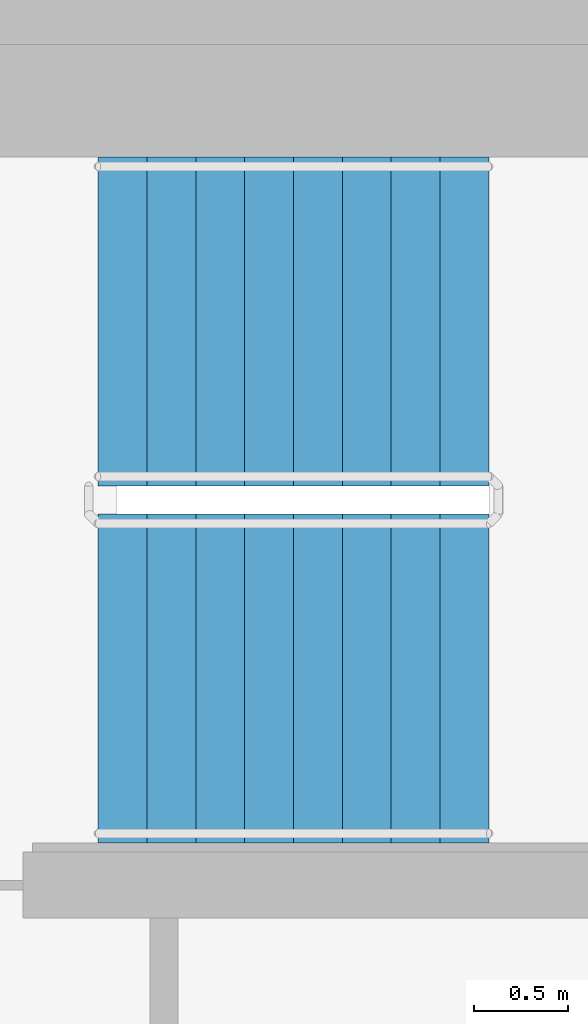
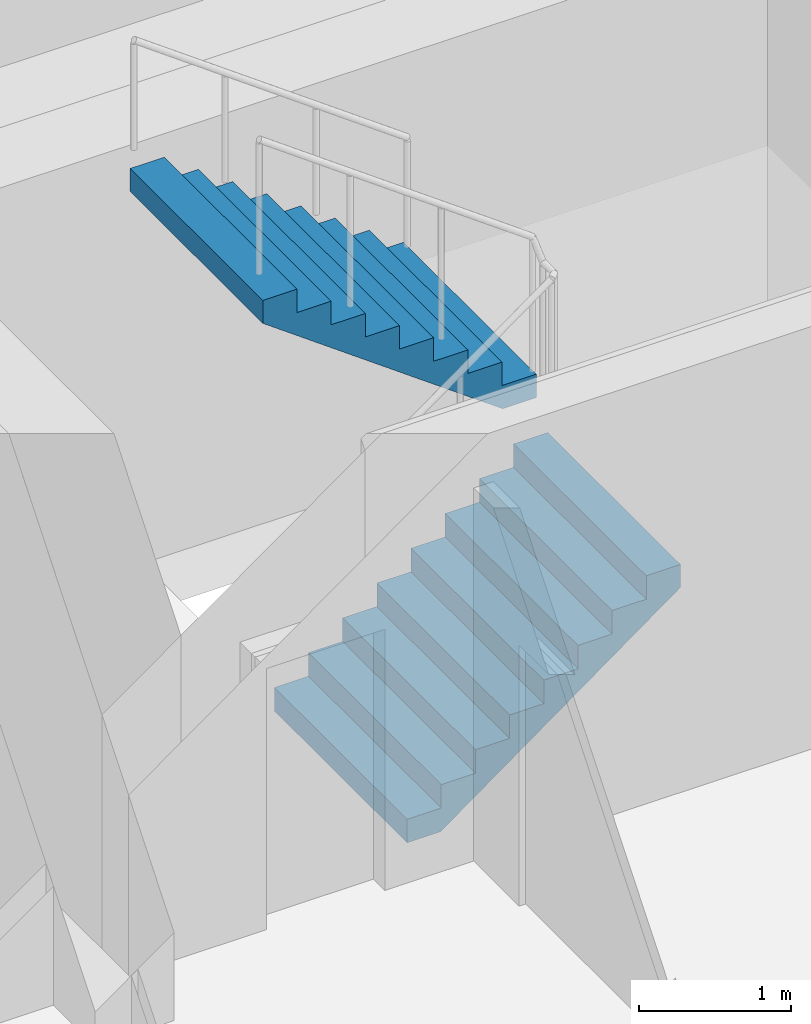
# One storey, part 14 of 19: 2 stair flights, 1 element without a shape of its own.
"""IFC4 building model written with IfcOpenShell, lengths in metres."""

import ifcopenshell
import ifcopenshell.guid

model = None  # the IFC model being written
_history = None  # IfcOwnerHistory: only IFC2X3 demands one
_inside = {}  # id of a spatial element -> (the spatial element, [elements in it])
_under = {}  # id of a project, library or spatial element -> (it, [spatial elements below it])
_declared = {}  # id of a project -> (the project, [libraries it declares])
_typed = {}  # id of a type object -> (the type object, [elements of that type])
_made_of = {}  # id of a material, layer set ... -> (it, [elements and type objects made of it])


def new_model(schema):
    """Start an empty IFC model of exactly this schema.

    Asked for "IFC4X3", IfcOpenShell would pick the latest addendum, in which some entities
    have other attributes; the version numbers below select the first issue.
    IFC2X3 requires an IfcOwnerHistory on every rooted entity: one is made here for all.
    """
    global model, _history
    if schema == "IFC4X3":
        model = ifcopenshell.file(schema_version=(4, 3, 0, 0))
    else:
        model = ifcopenshell.file(schema=schema)
    _inside.clear()
    _under.clear()
    _declared.clear()
    _typed.clear()
    _made_of.clear()
    _history = None
    if model.schema == "IFC2X3":
        org = make("IfcOrganization", Name="unknown")
        user = make(
            "IfcPersonAndOrganization",
            ThePerson=make("IfcPerson", FamilyName="unknown"),
            TheOrganization=org,
        )
        app = make(
            "IfcApplication",
            ApplicationDeveloper=org,
            Version="unknown",
            ApplicationFullName="unknown",
            ApplicationIdentifier="unknown",
        )
        _history = make(
            "IfcOwnerHistory",
            OwningUser=user,
            OwningApplication=app,
            ChangeAction="ADDED",
            CreationDate=0,
        )
    return model


def make(cls, **values):
    """One entity of the class cls with the attributes given. An attribute that is None is left unset."""
    return model.create_entity(
        cls, **{name: value for name, value in values.items() if value is not None}
    )


def rooted(cls, **values):
    """An entity with a GlobalId (a new one), such as an element, a storey or a relation."""
    return make(cls, GlobalId=ifcopenshell.guid.new(), OwnerHistory=_history, **values)


def si_unit(unit_type, name, prefix=None):
    """IfcSIUnit, for example si_unit("LENGTHUNIT", "METRE", prefix="MILLI")."""
    return make("IfcSIUnit", UnitType=unit_type, Prefix=prefix, Name=name)


def assignment(units):
    """IfcUnitAssignment: the units of a project."""
    return None if units is None else make("IfcUnitAssignment", Units=units)


def point(xyz):
    """IfcCartesianPoint."""
    return None if xyz is None else make("IfcCartesianPoint", Coordinates=xyz)


def direction(xyz):
    """IfcDirection."""
    return None if xyz is None else make("IfcDirection", DirectionRatios=xyz)


def frame(location, z_axis=None, x_axis=None):
    """IfcAxis2Placement3D, a coordinate frame: its origin and axes. An axis left out is left unset."""
    return make(
        "IfcAxis2Placement3D",
        Location=point(location),
        Axis=direction(z_axis),
        RefDirection=direction(x_axis),
    )


def origin():
    """The frame at (0, 0, 0) with its axes left unset."""
    return frame((0.0, 0.0, 0.0))


def place(relative_to, where):
    """IfcLocalPlacement: puts the frame where relative to a parent placement (None: the world)."""
    return make(
        "IfcLocalPlacement", PlacementRelTo=relative_to, RelativePlacement=where
    )


def context(
    kind, dimensions, precision=None, world=None, true_north=None, identifier=None
):
    """IfcGeometricRepresentationContext, for example the 3D "Model" context."""
    return make(
        "IfcGeometricRepresentationContext",
        ContextIdentifier=identifier,
        ContextType=kind,
        CoordinateSpaceDimension=dimensions,
        Precision=precision,
        WorldCoordinateSystem=world,
        TrueNorth=true_north,
    )


def subcontext(parent, identifier, kind, view, scale=None):
    """IfcGeometricRepresentationSubContext, for example "Body" below "Model"."""
    return make(
        "IfcGeometricRepresentationSubContext",
        ContextIdentifier=identifier,
        ContextType=kind,
        ParentContext=parent,
        TargetScale=scale,
        TargetView=view,
    )


def project(units=None, contexts=None):
    """IfcProject with its units and contexts."""
    return rooted(
        "IfcProject",
        Name="project",
        RepresentationContexts=contexts,
        UnitsInContext=assignment(units),
    )


def spatial(cls, under=None, at=None, **own):
    """A site, building, storey or space (cls), placed at a placement, below another one or the project."""
    s = rooted(cls, ObjectPlacement=at, **own)
    if under is not None:
        _under.setdefault(under.id(), (under, []))[1].append(s)
    return s


def faces_of(points, faces, orient=None, outer=None):
    """IfcFace entities. A face is a list of loops; a loop is a list of indices into points, from 0.

    orient and outer hold one flag for each loop. By default every Orientation is true, the
    first loop of a face is its IfcFaceOuterBound and the others are IfcFaceBound.
    """
    made = []
    for i, loops in enumerate(faces):
        bounds = []
        for j, loop in enumerate(loops):
            is_outer = j == 0 if outer is None else outer[i][j]
            bounds.append(
                make(
                    "IfcFaceOuterBound" if is_outer else "IfcFaceBound",
                    Bound=make("IfcPolyLoop", Polygon=[points[k] for k in loop]),
                    Orientation=True if orient is None else orient[i][j],
                )
            )
        made.append(make("IfcFace", Bounds=bounds))
    return made


def faceted_brep(points, faces, orient=None, outer=None, voids=None):
    """IfcFacetedBrep: a solid bounded by flat faces; with voids (closed shells), ...WithVoids."""
    shared = [point(p) for p in points]
    hull = make("IfcClosedShell", CfsFaces=faces_of(shared, faces, orient, outer))
    if voids is None:
        return make("IfcFacetedBrep", Outer=hull)
    return make(
        "IfcFacetedBrepWithVoids",
        Outer=hull,
        Voids=[
            make(cls, CfsFaces=faces_of(shared, fs, o, b)) for cls, fs, o, b in voids
        ],
    )


def shape(context_of_items, identifier, shape_type, items):
    """IfcShapeRepresentation: the items that make up one representation, for example the "Body"."""
    return make(
        "IfcShapeRepresentation",
        ContextOfItems=context_of_items,
        RepresentationIdentifier=identifier,
        RepresentationType=shape_type,
        Items=items,
    )


def material(Name=None, Category=None):
    """IfcMaterial."""
    return make("IfcMaterial", Name=Name, Category=Category)


def made_of(thing, what):
    """Note that an element or type object is made of a material, layer set ...; save() writes the relation."""
    if what is not None:
        _made_of.setdefault(what.id(), (what, []))[1].append(thing)
    return thing


def type_object(cls, material=None, **own):
    """A type object (cls), such as IfcWallType, which elements share."""
    return made_of(rooted(cls, **own), material)


def element(
    cls,
    number,
    at=None,
    inside=None,
    cuts=None,
    type_object=None,
    material=None,
    context=None,
    identifier="Body",
    shape_type=None,
    held_by="IfcProductDefinitionShape",
    body=None,
    shapes=None,
    **own,
):
    """One element of the class cls, such as IfcWall. Its Tag is "e" and its number.

    at: its placement. inside: the storey or other place that contains it. cuts: it is an
    opening in that element (IfcRelVoidsElement). A single representation is given by context,
    identifier, shape_type and body (its items); several are given by shapes. held_by: the class
    of the entity that holds the representations. save() writes the other relations.
    """
    e = rooted(cls, Tag="e%d" % number, ObjectPlacement=at, **own)
    if body is not None:
        shapes = [shape(context, identifier, shape_type, body)]
    if shapes is not None:
        e.Representation = make(held_by, Representations=shapes)
    if inside is not None:
        _inside.setdefault(inside.id(), (inside, []))[1].append(e)
    if cuts is not None:
        rooted(
            "IfcRelVoidsElement", RelatingBuildingElement=cuts, RelatedOpeningElement=e
        )
    if type_object is not None:
        _typed.setdefault(type_object.id(), (type_object, []))[1].append(e)
    return made_of(e, material)


def aggregate(whole, parts):
    """IfcRelAggregates: a whole, such as a stair, and the parts it consists of."""
    return rooted("IfcRelAggregates", RelatingObject=whole, RelatedObjects=parts)


def save(model, path):
    """Write the relations noted so far, then the file.

    IfcRelAggregates (storeys below a building ...), IfcRelContainedInSpatialStructure (elements
    in a storey), IfcRelDefinesByType, IfcRelAssociatesMaterial and IfcRelDeclares: one each for
    every whole, place, type object, material and project.
    """
    for whole, parts in _under.values():
        aggregate(whole, parts)
    for where, things in _inside.values():
        rooted(
            "IfcRelContainedInSpatialStructure",
            RelatedElements=things,
            RelatingStructure=where,
        )
    for kind, things in _typed.values():
        rooted("IfcRelDefinesByType", RelatedObjects=things, RelatingType=kind)
    for what, things in _made_of.values():
        rooted("IfcRelAssociatesMaterial", RelatedObjects=things, RelatingMaterial=what)
    for by, libraries in _declared.values():
        rooted("IfcRelDeclares", RelatingContext=by, RelatedDefinitions=libraries)
    model.write(path)


model = new_model("IFC4")

# Units and contexts
model_context = context("Model", 3, precision=1e-05, world=origin(), true_north=direction((0.0, 1.0)))
body_context = subcontext(model_context, "Body", "Model", "MODEL_VIEW")
ifc_project = project(units=[si_unit("LENGTHUNIT", "METRE"), si_unit("AREAUNIT", "SQUARE_METRE"), si_unit("VOLUMEUNIT", "CUBIC_METRE"), si_unit("PLANEANGLEUNIT", "RADIAN"), si_unit("MASSUNIT", "GRAM", prefix="KILO")], contexts=[model_context])

# Site, building, storey
site_placement = place(None, origin())
site = spatial("IfcSite", under=ifc_project, at=site_placement, CompositionType="ELEMENT")
building_placement = place(site_placement, origin())
building = spatial("IfcBuilding", under=site, at=building_placement, Name="Ipe Terrace Towers", CompositionType="ELEMENT")
storey_placement = place(building_placement, frame((0.0, 0.0, 185.800048828125)))
storey = spatial("IfcBuildingStorey", under=building, at=storey_placement, Name="L51", CompositionType="ELEMENT", Elevation=185.800048828125)

# Stair, stair flights
ifc_material_1 = material(Name="Concrete C30/37", Category="concrete")
stair_type = type_object("IfcStairType", Name="Protected exit stair", PredefinedType="HALF_TURN_STAIR", material=ifc_material_1)
stair_placement = place(storey_placement, origin())
stair = element("IfcStair", 1, at=stair_placement, inside=storey, type_object=stair_type, Name="L51 Exit stair T1-C1", PredefinedType="HALF_TURN_STAIR")
ifc_material_2 = material(Name="Concrete C30/37", Category="concrete")
stair_flight_type = type_object("IfcStairFlightType", Name="Exit stair flight 1750", PredefinedType="STRAIGHT", material=ifc_material_2)
stair_flight_1_placement = place(storey_placement, frame((-26.300048828125, 2.77490234375, 0.0), z_axis=(0.0, 0.0, 1.0), x_axis=(1.0, 0.0, 0.0)))
stair_flight_1 = element("IfcStairFlight", 2, at=stair_flight_1_placement, type_object=stair_flight_type, Name="T1-ST1 flight 1", NumberOfRisers=9, NumberOfTreads=8, PredefinedType="STRAIGHT", RiserHeight=0.188888889, TreadLength=0.26, context=body_context, shape_type="Brep", body=[
    faceted_brep([(0.255126953125, -0.875, 0.0), (2.080078125, -0.875, 1.325927734375), (2.080078125, -0.875, 1.51123046875), (1.820068359375, -0.875, 1.51123046875), (1.820068359375, -0.875, 1.322265625), (1.56005859375, -0.875, 1.322265625), (1.56005859375, -0.875, 1.13330078125), (1.300048828125, -0.875, 1.13330078125), (1.300048828125, -0.875, 0.9443359375), (1.0400390625, -0.875, 0.9443359375), (1.0400390625, -0.875, 0.755615234375), (0.780029296875, -0.875, 0.755615234375), (0.780029296875, -0.875, 0.566650390625), (0.52001953125, -0.875, 0.566650390625), (0.52001953125, -0.875, 0.377685546875), (0.260009765625, -0.875, 0.377685546875), (0.260009765625, -0.875, 0.18896484375), (0.0, -0.875, 0.18896484375), (0.0, -0.875, 0.0), (0.0, 0.875, 0.0), (0.0, 0.875, 0.18896484375), (0.260009765625, 0.875, 0.18896484375), (0.260009765625, 0.875, 0.377685546875), (0.52001953125, 0.875, 0.377685546875), (0.52001953125, 0.875, 0.566650390625), (0.780029296875, 0.875, 0.566650390625), (0.780029296875, 0.875, 0.755615234375), (1.0400390625, 0.875, 0.755615234375), (1.0400390625, 0.875, 0.9443359375), (1.300048828125, 0.875, 0.9443359375), (1.300048828125, 0.875, 1.13330078125), (1.56005859375, 0.875, 1.13330078125), (1.56005859375, 0.875, 1.322265625), (1.820068359375, 0.875, 1.322265625), (1.820068359375, 0.875, 1.51123046875), (2.080078125, 0.875, 1.51123046875), (2.080078125, 0.875, 1.325927734375), (0.255126953125, 0.875, 0.0), (0.0, -0.300048828125, 0.18896484375), (0.0, -0.1201171875, 0.18896484375), (0.0, -0.06005859375, 0.18896484375), (0.0, -0.030029296875, 0.18896484375), (0.0, -0.010009765625, 0.18896484375), (0.0, 0.0, 0.18896484375), (0.0, 0.010009765625, 0.18896484375), (0.0, 0.030029296875, 0.18896484375), (0.0, 0.06005859375, 0.18896484375), (0.0, 0.1201171875, 0.18896484375), (0.0, 0.300048828125, 0.18896484375), (0.0, 0.300048828125, 0.0), (0.0, 0.1201171875, 0.0), (0.0, 0.06005859375, 0.0), (0.0, 0.030029296875, 0.0), (0.0, 0.010009765625, 0.0), (0.0, 0.0, 0.0), (0.0, -0.010009765625, 0.0), (0.0, -0.030029296875, 0.0), (0.0, -0.06005859375, 0.0), (0.0, -0.1201171875, 0.0), (0.0, -0.300048828125, 0.0), (0.260009765625, -0.300048828125, 0.18896484375), (0.260009765625, -0.1201171875, 0.18896484375), (0.260009765625, -0.06005859375, 0.18896484375), (0.260009765625, -0.030029296875, 0.18896484375), (0.260009765625, -0.010009765625, 0.18896484375), (0.260009765625, 0.0, 0.18896484375), (0.260009765625, 0.010009765625, 0.18896484375), (0.260009765625, 0.030029296875, 0.18896484375), (0.260009765625, 0.06005859375, 0.18896484375), (0.260009765625, 0.1201171875, 0.18896484375), (0.260009765625, 0.300048828125, 0.18896484375), (0.260009765625, -0.300048828125, 0.377685546875), (0.260009765625, -0.1201171875, 0.377685546875), (0.260009765625, -0.06005859375, 0.377685546875), (0.260009765625, -0.030029296875, 0.377685546875), (0.260009765625, -0.010009765625, 0.377685546875), (0.260009765625, 0.0, 0.377685546875), (0.260009765625, 0.010009765625, 0.377685546875), (0.260009765625, 0.030029296875, 0.377685546875), (0.260009765625, 0.06005859375, 0.377685546875), (0.260009765625, 0.1201171875, 0.377685546875), (0.260009765625, 0.300048828125, 0.377685546875), (0.52001953125, -0.300048828125, 0.377685546875), (0.52001953125, -0.1201171875, 0.377685546875), (0.52001953125, -0.06005859375, 0.377685546875), (0.52001953125, -0.030029296875, 0.377685546875), (0.52001953125, -0.010009765625, 0.377685546875), (0.52001953125, 0.0, 0.377685546875), (0.52001953125, 0.010009765625, 0.377685546875), (0.52001953125, 0.030029296875, 0.377685546875), (0.52001953125, 0.06005859375, 0.377685546875), (0.52001953125, 0.1201171875, 0.377685546875), (0.52001953125, 0.300048828125, 0.377685546875), (0.52001953125, -0.300048828125, 0.566650390625), (0.52001953125, -0.1201171875, 0.566650390625), (0.52001953125, -0.06005859375, 0.566650390625), (0.52001953125, -0.030029296875, 0.566650390625), (0.52001953125, -0.010009765625, 0.566650390625), (0.52001953125, 0.0, 0.566650390625), (0.52001953125, 0.010009765625, 0.566650390625), (0.52001953125, 0.030029296875, 0.566650390625), (0.52001953125, 0.06005859375, 0.566650390625), (0.52001953125, 0.1201171875, 0.566650390625), (0.52001953125, 0.300048828125, 0.566650390625), (0.780029296875, -0.300048828125, 0.566650390625), (0.780029296875, -0.1201171875, 0.566650390625), (0.780029296875, -0.06005859375, 0.566650390625), (0.780029296875, -0.030029296875, 0.566650390625), (0.780029296875, -0.010009765625, 0.566650390625), (0.780029296875, 0.0, 0.566650390625), (0.780029296875, 0.010009765625, 0.566650390625), (0.780029296875, 0.030029296875, 0.566650390625), (0.780029296875, 0.06005859375, 0.566650390625), (0.780029296875, 0.1201171875, 0.566650390625), (0.780029296875, 0.300048828125, 0.566650390625), (0.780029296875, -0.300048828125, 0.755615234375), (0.780029296875, -0.1201171875, 0.755615234375), (0.780029296875, -0.06005859375, 0.755615234375), (0.780029296875, -0.030029296875, 0.755615234375), (0.780029296875, -0.010009765625, 0.755615234375), (0.780029296875, 0.0, 0.755615234375), (0.780029296875, 0.010009765625, 0.755615234375), (0.780029296875, 0.030029296875, 0.755615234375), (0.780029296875, 0.06005859375, 0.755615234375), (0.780029296875, 0.1201171875, 0.755615234375), (0.780029296875, 0.300048828125, 0.755615234375), (1.0400390625, -0.300048828125, 0.755615234375), (1.0400390625, -0.1201171875, 0.755615234375), (1.0400390625, -0.06005859375, 0.755615234375), (1.0400390625, -0.030029296875, 0.755615234375), (1.0400390625, -0.010009765625, 0.755615234375), (1.0400390625, 0.0, 0.755615234375), (1.0400390625, 0.010009765625, 0.755615234375), (1.0400390625, 0.030029296875, 0.755615234375), (1.0400390625, 0.06005859375, 0.755615234375), (1.0400390625, 0.1201171875, 0.755615234375), (1.0400390625, 0.300048828125, 0.755615234375), (1.0400390625, -0.300048828125, 0.9443359375), (1.0400390625, -0.1201171875, 0.9443359375), (1.0400390625, -0.06005859375, 0.9443359375), (1.0400390625, -0.030029296875, 0.9443359375), (1.0400390625, -0.010009765625, 0.9443359375), (1.0400390625, 0.0, 0.9443359375), (1.0400390625, 0.010009765625, 0.9443359375), (1.0400390625, 0.030029296875, 0.9443359375), (1.0400390625, 0.06005859375, 0.9443359375), (1.0400390625, 0.1201171875, 0.9443359375), (1.0400390625, 0.300048828125, 0.9443359375), (1.300048828125, -0.300048828125, 0.9443359375), (1.300048828125, -0.1201171875, 0.9443359375), (1.300048828125, -0.06005859375, 0.9443359375), (1.300048828125, -0.030029296875, 0.9443359375), (1.300048828125, -0.010009765625, 0.9443359375), (1.300048828125, 0.0, 0.9443359375), (1.300048828125, 0.010009765625, 0.9443359375), (1.300048828125, 0.030029296875, 0.9443359375), (1.300048828125, 0.06005859375, 0.9443359375), (1.300048828125, 0.1201171875, 0.9443359375), (1.300048828125, 0.300048828125, 0.9443359375), (1.300048828125, -0.300048828125, 1.13330078125), (1.300048828125, -0.1201171875, 1.13330078125), (1.300048828125, -0.06005859375, 1.13330078125), (1.300048828125, -0.030029296875, 1.13330078125), (1.300048828125, -0.010009765625, 1.13330078125), (1.300048828125, 0.0, 1.13330078125), (1.300048828125, 0.010009765625, 1.13330078125), (1.300048828125, 0.030029296875, 1.13330078125), (1.300048828125, 0.06005859375, 1.13330078125), (1.300048828125, 0.1201171875, 1.13330078125), (1.300048828125, 0.300048828125, 1.13330078125), (1.56005859375, -0.300048828125, 1.13330078125), (1.56005859375, -0.1201171875, 1.13330078125), (1.56005859375, -0.06005859375, 1.13330078125), (1.56005859375, -0.030029296875, 1.13330078125), (1.56005859375, -0.010009765625, 1.13330078125), (1.56005859375, 0.0, 1.13330078125), (1.56005859375, 0.010009765625, 1.13330078125), (1.56005859375, 0.030029296875, 1.13330078125), (1.56005859375, 0.06005859375, 1.13330078125), (1.56005859375, 0.1201171875, 1.13330078125), (1.56005859375, 0.300048828125, 1.13330078125), (1.56005859375, -0.300048828125, 1.322265625), (1.56005859375, -0.1201171875, 1.322265625), (1.56005859375, -0.06005859375, 1.322265625), (1.56005859375, -0.030029296875, 1.322265625), (1.56005859375, -0.010009765625, 1.322265625), (1.56005859375, 0.0, 1.322265625), (1.56005859375, 0.010009765625, 1.322265625), (1.56005859375, 0.030029296875, 1.322265625), (1.56005859375, 0.06005859375, 1.322265625), (1.56005859375, 0.1201171875, 1.322265625), (1.56005859375, 0.300048828125, 1.322265625), (1.820068359375, -0.300048828125, 1.322265625), (1.820068359375, -0.1201171875, 1.322265625), (1.820068359375, -0.06005859375, 1.322265625), (1.820068359375, -0.030029296875, 1.322265625), (1.820068359375, -0.010009765625, 1.322265625), (1.820068359375, 0.0, 1.322265625), (1.820068359375, 0.010009765625, 1.322265625), (1.820068359375, 0.030029296875, 1.322265625), (1.820068359375, 0.06005859375, 1.322265625), (1.820068359375, 0.1201171875, 1.322265625), (1.820068359375, 0.300048828125, 1.322265625), (1.820068359375, -0.300048828125, 1.51123046875), (1.820068359375, -0.1201171875, 1.51123046875), (1.820068359375, -0.06005859375, 1.51123046875), (1.820068359375, -0.030029296875, 1.51123046875), (1.820068359375, -0.010009765625, 1.51123046875), (1.820068359375, 0.0, 1.51123046875), (1.820068359375, 0.010009765625, 1.51123046875), (1.820068359375, 0.030029296875, 1.51123046875), (1.820068359375, 0.06005859375, 1.51123046875), (1.820068359375, 0.1201171875, 1.51123046875), (1.820068359375, 0.300048828125, 1.51123046875), (2.080078125, -0.300048828125, 1.51123046875), (2.080078125, -0.1201171875, 1.51123046875), (2.080078125, -0.06005859375, 1.51123046875), (2.080078125, -0.030029296875, 1.51123046875), (2.080078125, -0.010009765625, 1.51123046875), (2.080078125, 0.0, 1.51123046875), (2.080078125, 0.010009765625, 1.51123046875), (2.080078125, 0.030029296875, 1.51123046875), (2.080078125, 0.06005859375, 1.51123046875), (2.080078125, 0.1201171875, 1.51123046875), (2.080078125, 0.300048828125, 1.51123046875), (2.080078125, -0.300048828125, 1.325927734375), (2.080078125, -0.1201171875, 1.325927734375), (2.080078125, -0.06005859375, 1.325927734375), (2.080078125, -0.030029296875, 1.325927734375), (2.080078125, -0.010009765625, 1.325927734375), (2.080078125, 0.0, 1.325927734375), (2.080078125, 0.010009765625, 1.325927734375), (2.080078125, 0.030029296875, 1.325927734375), (2.080078125, 0.06005859375, 1.325927734375), (2.080078125, 0.1201171875, 1.325927734375), (2.080078125, 0.300048828125, 1.325927734375), (0.255126953125, -0.300048828125, 0.0), (0.255126953125, -0.1201171875, 0.0), (0.255126953125, -0.06005859375, 0.0), (0.255126953125, -0.030029296875, 0.0), (0.255126953125, -0.010009765625, 0.0), (0.255126953125, 0.0, 0.0), (0.255126953125, 0.010009765625, 0.0), (0.255126953125, 0.030029296875, 0.0), (0.255126953125, 0.06005859375, 0.0), (0.255126953125, 0.1201171875, 0.0), (0.255126953125, 0.300048828125, 0.0)], [[[0, 1, 2, 3, 4, 5, 6, 7, 8, 9, 10, 11, 12, 13, 14, 15, 16, 17, 18]], [[19, 20, 21, 22, 23, 24, 25, 26, 27, 28, 29, 30, 31, 32, 33, 34, 35, 36, 37]], [[17, 38, 39, 40, 41, 42, 43, 44, 45, 46, 47, 48, 20, 19, 49, 50, 51, 52, 53, 54, 55, 56, 57, 58, 59, 18]], [[16, 60, 61, 62, 63, 64, 65, 66, 67, 68, 69, 70, 21, 20, 48, 47, 46, 45, 44, 43, 42, 41, 40, 39, 38, 17]], [[15, 71, 72, 73, 74, 75, 76, 77, 78, 79, 80, 81, 22, 21, 70, 69, 68, 67, 66, 65, 64, 63, 62, 61, 60, 16]], [[14, 82, 83, 84, 85, 86, 87, 88, 89, 90, 91, 92, 23, 22, 81, 80, 79, 78, 77, 76, 75, 74, 73, 72, 71, 15]], [[13, 93, 94, 95, 96, 97, 98, 99, 100, 101, 102, 103, 24, 23, 92, 91, 90, 89, 88, 87, 86, 85, 84, 83, 82, 14]], [[12, 104, 105, 106, 107, 108, 109, 110, 111, 112, 113, 114, 25, 24, 103, 102, 101, 100, 99, 98, 97, 96, 95, 94, 93, 13]], [[11, 115, 116, 117, 118, 119, 120, 121, 122, 123, 124, 125, 26, 25, 114, 113, 112, 111, 110, 109, 108, 107, 106, 105, 104, 12]], [[10, 126, 127, 128, 129, 130, 131, 132, 133, 134, 135, 136, 27, 26, 125, 124, 123, 122, 121, 120, 119, 118, 117, 116, 115, 11]], [[9, 137, 138, 139, 140, 141, 142, 143, 144, 145, 146, 147, 28, 27, 136, 135, 134, 133, 132, 131, 130, 129, 128, 127, 126, 10]], [[8, 148, 149, 150, 151, 152, 153, 154, 155, 156, 157, 158, 29, 28, 147, 146, 145, 144, 143, 142, 141, 140, 139, 138, 137, 9]], [[7, 159, 160, 161, 162, 163, 164, 165, 166, 167, 168, 169, 30, 29, 158, 157, 156, 155, 154, 153, 152, 151, 150, 149, 148, 8]], [[6, 170, 171, 172, 173, 174, 175, 176, 177, 178, 179, 180, 31, 30, 169, 168, 167, 166, 165, 164, 163, 162, 161, 160, 159, 7]], [[5, 181, 182, 183, 184, 185, 186, 187, 188, 189, 190, 191, 32, 31, 180, 179, 178, 177, 176, 175, 174, 173, 172, 171, 170, 6]], [[4, 192, 193, 194, 195, 196, 197, 198, 199, 200, 201, 202, 33, 32, 191, 190, 189, 188, 187, 186, 185, 184, 183, 182, 181, 5]], [[3, 203, 204, 205, 206, 207, 208, 209, 210, 211, 212, 213, 34, 33, 202, 201, 200, 199, 198, 197, 196, 195, 194, 193, 192, 4]], [[2, 214, 215, 216, 217, 218, 219, 220, 221, 222, 223, 224, 35, 34, 213, 212, 211, 210, 209, 208, 207, 206, 205, 204, 203, 3]], [[1, 225, 226, 227, 228, 229, 230, 231, 232, 233, 234, 235, 36, 35, 224, 223, 222, 221, 220, 219, 218, 217, 216, 215, 214, 2]], [[0, 236, 237, 238, 239, 240, 241, 242, 243, 244, 245, 246, 37, 36, 235, 234, 233, 232, 231, 230, 229, 228, 227, 226, 225, 1]], [[18, 59, 58, 57, 56, 55, 54, 53, 52, 51, 50, 49, 19, 37, 246, 245, 244, 243, 242, 241, 240, 239, 238, 237, 236, 0]]]),
])
stair_flight_2_placement = place(storey_placement, frame((-24.219970703125, 4.675048828125, 1.699951171875), z_axis=(0.0, 0.0, 1.0), x_axis=(-1.0, 0.0, 0.0)))
stair_flight_2 = element("IfcStairFlight", 3, at=stair_flight_2_placement, type_object=stair_flight_type, Name="T1-ST1 flight 2", NumberOfRisers=9, NumberOfTreads=8, PredefinedType="STRAIGHT", RiserHeight=0.188888889, TreadLength=0.26, context=body_context, shape_type="Brep", body=[
    faceted_brep([(0.255126953125, -0.875, 0.0), (2.080078125, -0.875, 1.325927734375), (2.080078125, -0.875, 1.51123046875), (1.820068359375, -0.875, 1.51123046875), (1.820068359375, -0.875, 1.322265625), (1.56005859375, -0.875, 1.322265625), (1.56005859375, -0.875, 1.13330078125), (1.300048828125, -0.875, 1.13330078125), (1.300048828125, -0.875, 0.9443359375), (1.0400390625, -0.875, 0.9443359375), (1.0400390625, -0.875, 0.755615234375), (0.780029296875, -0.875, 0.755615234375), (0.780029296875, -0.875, 0.566650390625), (0.52001953125, -0.875, 0.566650390625), (0.52001953125, -0.875, 0.377685546875), (0.260009765625, -0.875, 0.377685546875), (0.260009765625, -0.875, 0.18896484375), (0.0, -0.875, 0.18896484375), (0.0, -0.875, 0.0), (0.0, 0.875, 0.0), (0.0, 0.875, 0.18896484375), (0.260009765625, 0.875, 0.18896484375), (0.260009765625, 0.875, 0.377685546875), (0.52001953125, 0.875, 0.377685546875), (0.52001953125, 0.875, 0.566650390625), (0.780029296875, 0.875, 0.566650390625), (0.780029296875, 0.875, 0.755615234375), (1.0400390625, 0.875, 0.755615234375), (1.0400390625, 0.875, 0.9443359375), (1.300048828125, 0.875, 0.9443359375), (1.300048828125, 0.875, 1.13330078125), (1.56005859375, 0.875, 1.13330078125), (1.56005859375, 0.875, 1.322265625), (1.820068359375, 0.875, 1.322265625), (1.820068359375, 0.875, 1.51123046875), (2.080078125, 0.875, 1.51123046875), (2.080078125, 0.875, 1.325927734375), (0.255126953125, 0.875, 0.0), (0.0, -0.300048828125, 0.18896484375), (0.0, -0.1201171875, 0.18896484375), (0.0, -0.06005859375, 0.18896484375), (0.0, -0.030029296875, 0.18896484375), (0.0, -0.010009765625, 0.18896484375), (0.0, 0.0, 0.18896484375), (0.0, 0.010009765625, 0.18896484375), (0.0, 0.030029296875, 0.18896484375), (0.0, 0.06005859375, 0.18896484375), (0.0, 0.1201171875, 0.18896484375), (0.0, 0.300048828125, 0.18896484375), (0.0, 0.300048828125, 0.0), (0.0, 0.1201171875, 0.0), (0.0, 0.06005859375, 0.0), (0.0, 0.030029296875, 0.0), (0.0, 0.010009765625, 0.0), (0.0, 0.0, 0.0), (0.0, -0.010009765625, 0.0), (0.0, -0.030029296875, 0.0), (0.0, -0.06005859375, 0.0), (0.0, -0.1201171875, 0.0), (0.0, -0.300048828125, 0.0), (0.260009765625, -0.300048828125, 0.18896484375), (0.260009765625, -0.1201171875, 0.18896484375), (0.260009765625, -0.06005859375, 0.18896484375), (0.260009765625, -0.030029296875, 0.18896484375), (0.260009765625, -0.010009765625, 0.18896484375), (0.260009765625, 0.0, 0.18896484375), (0.260009765625, 0.010009765625, 0.18896484375), (0.260009765625, 0.030029296875, 0.18896484375), (0.260009765625, 0.06005859375, 0.18896484375), (0.260009765625, 0.1201171875, 0.18896484375), (0.260009765625, 0.300048828125, 0.18896484375), (0.260009765625, -0.300048828125, 0.377685546875), (0.260009765625, -0.1201171875, 0.377685546875), (0.260009765625, -0.06005859375, 0.377685546875), (0.260009765625, -0.030029296875, 0.377685546875), (0.260009765625, -0.010009765625, 0.377685546875), (0.260009765625, 0.0, 0.377685546875), (0.260009765625, 0.010009765625, 0.377685546875), (0.260009765625, 0.030029296875, 0.377685546875), (0.260009765625, 0.06005859375, 0.377685546875), (0.260009765625, 0.1201171875, 0.377685546875), (0.260009765625, 0.300048828125, 0.377685546875), (0.52001953125, -0.300048828125, 0.377685546875), (0.52001953125, -0.1201171875, 0.377685546875), (0.52001953125, -0.06005859375, 0.377685546875), (0.52001953125, -0.030029296875, 0.377685546875), (0.52001953125, -0.010009765625, 0.377685546875), (0.52001953125, 0.0, 0.377685546875), (0.52001953125, 0.010009765625, 0.377685546875), (0.52001953125, 0.030029296875, 0.377685546875), (0.52001953125, 0.06005859375, 0.377685546875), (0.52001953125, 0.1201171875, 0.377685546875), (0.52001953125, 0.300048828125, 0.377685546875), (0.52001953125, -0.300048828125, 0.566650390625), (0.52001953125, -0.1201171875, 0.566650390625), (0.52001953125, -0.06005859375, 0.566650390625), (0.52001953125, -0.030029296875, 0.566650390625), (0.52001953125, -0.010009765625, 0.566650390625), (0.52001953125, 0.0, 0.566650390625), (0.52001953125, 0.010009765625, 0.566650390625), (0.52001953125, 0.030029296875, 0.566650390625), (0.52001953125, 0.06005859375, 0.566650390625), (0.52001953125, 0.1201171875, 0.566650390625), (0.52001953125, 0.300048828125, 0.566650390625), (0.780029296875, -0.300048828125, 0.566650390625), (0.780029296875, -0.1201171875, 0.566650390625), (0.780029296875, -0.06005859375, 0.566650390625), (0.780029296875, -0.030029296875, 0.566650390625), (0.780029296875, -0.010009765625, 0.566650390625), (0.780029296875, 0.0, 0.566650390625), (0.780029296875, 0.010009765625, 0.566650390625), (0.780029296875, 0.030029296875, 0.566650390625), (0.780029296875, 0.06005859375, 0.566650390625), (0.780029296875, 0.1201171875, 0.566650390625), (0.780029296875, 0.300048828125, 0.566650390625), (0.780029296875, -0.300048828125, 0.755615234375), (0.780029296875, -0.1201171875, 0.755615234375), (0.780029296875, -0.06005859375, 0.755615234375), (0.780029296875, -0.030029296875, 0.755615234375), (0.780029296875, -0.010009765625, 0.755615234375), (0.780029296875, 0.0, 0.755615234375), (0.780029296875, 0.010009765625, 0.755615234375), (0.780029296875, 0.030029296875, 0.755615234375), (0.780029296875, 0.06005859375, 0.755615234375), (0.780029296875, 0.1201171875, 0.755615234375), (0.780029296875, 0.300048828125, 0.755615234375), (1.0400390625, -0.300048828125, 0.755615234375), (1.0400390625, -0.1201171875, 0.755615234375), (1.0400390625, -0.06005859375, 0.755615234375), (1.0400390625, -0.030029296875, 0.755615234375), (1.0400390625, -0.010009765625, 0.755615234375), (1.0400390625, 0.0, 0.755615234375), (1.0400390625, 0.010009765625, 0.755615234375), (1.0400390625, 0.030029296875, 0.755615234375), (1.0400390625, 0.06005859375, 0.755615234375), (1.0400390625, 0.1201171875, 0.755615234375), (1.0400390625, 0.300048828125, 0.755615234375), (1.0400390625, -0.300048828125, 0.9443359375), (1.0400390625, -0.1201171875, 0.9443359375), (1.0400390625, -0.06005859375, 0.9443359375), (1.0400390625, -0.030029296875, 0.9443359375), (1.0400390625, -0.010009765625, 0.9443359375), (1.0400390625, 0.0, 0.9443359375), (1.0400390625, 0.010009765625, 0.9443359375), (1.0400390625, 0.030029296875, 0.9443359375), (1.0400390625, 0.06005859375, 0.9443359375), (1.0400390625, 0.1201171875, 0.9443359375), (1.0400390625, 0.300048828125, 0.9443359375), (1.300048828125, -0.300048828125, 0.9443359375), (1.300048828125, -0.1201171875, 0.9443359375), (1.300048828125, -0.06005859375, 0.9443359375), (1.300048828125, -0.030029296875, 0.9443359375), (1.300048828125, -0.010009765625, 0.9443359375), (1.300048828125, 0.0, 0.9443359375), (1.300048828125, 0.010009765625, 0.9443359375), (1.300048828125, 0.030029296875, 0.9443359375), (1.300048828125, 0.06005859375, 0.9443359375), (1.300048828125, 0.1201171875, 0.9443359375), (1.300048828125, 0.300048828125, 0.9443359375), (1.300048828125, -0.300048828125, 1.13330078125), (1.300048828125, -0.1201171875, 1.13330078125), (1.300048828125, -0.06005859375, 1.13330078125), (1.300048828125, -0.030029296875, 1.13330078125), (1.300048828125, -0.010009765625, 1.13330078125), (1.300048828125, 0.0, 1.13330078125), (1.300048828125, 0.010009765625, 1.13330078125), (1.300048828125, 0.030029296875, 1.13330078125), (1.300048828125, 0.06005859375, 1.13330078125), (1.300048828125, 0.1201171875, 1.13330078125), (1.300048828125, 0.300048828125, 1.13330078125), (1.56005859375, -0.300048828125, 1.13330078125), (1.56005859375, -0.1201171875, 1.13330078125), (1.56005859375, -0.06005859375, 1.13330078125), (1.56005859375, -0.030029296875, 1.13330078125), (1.56005859375, -0.010009765625, 1.13330078125), (1.56005859375, 0.0, 1.13330078125), (1.56005859375, 0.010009765625, 1.13330078125), (1.56005859375, 0.030029296875, 1.13330078125), (1.56005859375, 0.06005859375, 1.13330078125), (1.56005859375, 0.1201171875, 1.13330078125), (1.56005859375, 0.300048828125, 1.13330078125), (1.56005859375, -0.300048828125, 1.322265625), (1.56005859375, -0.1201171875, 1.322265625), (1.56005859375, -0.06005859375, 1.322265625), (1.56005859375, -0.030029296875, 1.322265625), (1.56005859375, -0.010009765625, 1.322265625), (1.56005859375, 0.0, 1.322265625), (1.56005859375, 0.010009765625, 1.322265625), (1.56005859375, 0.030029296875, 1.322265625), (1.56005859375, 0.06005859375, 1.322265625), (1.56005859375, 0.1201171875, 1.322265625), (1.56005859375, 0.300048828125, 1.322265625), (1.820068359375, -0.300048828125, 1.322265625), (1.820068359375, -0.1201171875, 1.322265625), (1.820068359375, -0.06005859375, 1.322265625), (1.820068359375, -0.030029296875, 1.322265625), (1.820068359375, -0.010009765625, 1.322265625), (1.820068359375, 0.0, 1.322265625), (1.820068359375, 0.010009765625, 1.322265625), (1.820068359375, 0.030029296875, 1.322265625), (1.820068359375, 0.06005859375, 1.322265625), (1.820068359375, 0.1201171875, 1.322265625), (1.820068359375, 0.300048828125, 1.322265625), (1.820068359375, -0.300048828125, 1.51123046875), (1.820068359375, -0.1201171875, 1.51123046875), (1.820068359375, -0.06005859375, 1.51123046875), (1.820068359375, -0.030029296875, 1.51123046875), (1.820068359375, -0.010009765625, 1.51123046875), (1.820068359375, 0.0, 1.51123046875), (1.820068359375, 0.010009765625, 1.51123046875), (1.820068359375, 0.030029296875, 1.51123046875), (1.820068359375, 0.06005859375, 1.51123046875), (1.820068359375, 0.1201171875, 1.51123046875), (1.820068359375, 0.300048828125, 1.51123046875), (2.080078125, -0.300048828125, 1.51123046875), (2.080078125, -0.1201171875, 1.51123046875), (2.080078125, -0.06005859375, 1.51123046875), (2.080078125, -0.030029296875, 1.51123046875), (2.080078125, -0.010009765625, 1.51123046875), (2.080078125, 0.0, 1.51123046875), (2.080078125, 0.010009765625, 1.51123046875), (2.080078125, 0.030029296875, 1.51123046875), (2.080078125, 0.06005859375, 1.51123046875), (2.080078125, 0.1201171875, 1.51123046875), (2.080078125, 0.300048828125, 1.51123046875), (2.080078125, -0.300048828125, 1.325927734375), (2.080078125, -0.1201171875, 1.325927734375), (2.080078125, -0.06005859375, 1.325927734375), (2.080078125, -0.030029296875, 1.325927734375), (2.080078125, -0.010009765625, 1.325927734375), (2.080078125, 0.0, 1.325927734375), (2.080078125, 0.010009765625, 1.325927734375), (2.080078125, 0.030029296875, 1.325927734375), (2.080078125, 0.06005859375, 1.325927734375), (2.080078125, 0.1201171875, 1.325927734375), (2.080078125, 0.300048828125, 1.325927734375), (0.255126953125, -0.300048828125, 0.0), (0.255126953125, -0.1201171875, 0.0), (0.255126953125, -0.06005859375, 0.0), (0.255126953125, -0.030029296875, 0.0), (0.255126953125, -0.010009765625, 0.0), (0.255126953125, 0.0, 0.0), (0.255126953125, 0.010009765625, 0.0), (0.255126953125, 0.030029296875, 0.0), (0.255126953125, 0.06005859375, 0.0), (0.255126953125, 0.1201171875, 0.0), (0.255126953125, 0.300048828125, 0.0)], [[[0, 1, 2, 3, 4, 5, 6, 7, 8, 9, 10, 11, 12, 13, 14, 15, 16, 17, 18]], [[19, 20, 21, 22, 23, 24, 25, 26, 27, 28, 29, 30, 31, 32, 33, 34, 35, 36, 37]], [[17, 38, 39, 40, 41, 42, 43, 44, 45, 46, 47, 48, 20, 19, 49, 50, 51, 52, 53, 54, 55, 56, 57, 58, 59, 18]], [[16, 60, 61, 62, 63, 64, 65, 66, 67, 68, 69, 70, 21, 20, 48, 47, 46, 45, 44, 43, 42, 41, 40, 39, 38, 17]], [[15, 71, 72, 73, 74, 75, 76, 77, 78, 79, 80, 81, 22, 21, 70, 69, 68, 67, 66, 65, 64, 63, 62, 61, 60, 16]], [[14, 82, 83, 84, 85, 86, 87, 88, 89, 90, 91, 92, 23, 22, 81, 80, 79, 78, 77, 76, 75, 74, 73, 72, 71, 15]], [[13, 93, 94, 95, 96, 97, 98, 99, 100, 101, 102, 103, 24, 23, 92, 91, 90, 89, 88, 87, 86, 85, 84, 83, 82, 14]], [[12, 104, 105, 106, 107, 108, 109, 110, 111, 112, 113, 114, 25, 24, 103, 102, 101, 100, 99, 98, 97, 96, 95, 94, 93, 13]], [[11, 115, 116, 117, 118, 119, 120, 121, 122, 123, 124, 125, 26, 25, 114, 113, 112, 111, 110, 109, 108, 107, 106, 105, 104, 12]], [[10, 126, 127, 128, 129, 130, 131, 132, 133, 134, 135, 136, 27, 26, 125, 124, 123, 122, 121, 120, 119, 118, 117, 116, 115, 11]], [[9, 137, 138, 139, 140, 141, 142, 143, 144, 145, 146, 147, 28, 27, 136, 135, 134, 133, 132, 131, 130, 129, 128, 127, 126, 10]], [[8, 148, 149, 150, 151, 152, 153, 154, 155, 156, 157, 158, 29, 28, 147, 146, 145, 144, 143, 142, 141, 140, 139, 138, 137, 9]], [[7, 159, 160, 161, 162, 163, 164, 165, 166, 167, 168, 169, 30, 29, 158, 157, 156, 155, 154, 153, 152, 151, 150, 149, 148, 8]], [[6, 170, 171, 172, 173, 174, 175, 176, 177, 178, 179, 180, 31, 30, 169, 168, 167, 166, 165, 164, 163, 162, 161, 160, 159, 7]], [[5, 181, 182, 183, 184, 185, 186, 187, 188, 189, 190, 191, 32, 31, 180, 179, 178, 177, 176, 175, 174, 173, 172, 171, 170, 6]], [[4, 192, 193, 194, 195, 196, 197, 198, 199, 200, 201, 202, 33, 32, 191, 190, 189, 188, 187, 186, 185, 184, 183, 182, 181, 5]], [[3, 203, 204, 205, 206, 207, 208, 209, 210, 211, 212, 213, 34, 33, 202, 201, 200, 199, 198, 197, 196, 195, 194, 193, 192, 4]], [[2, 214, 215, 216, 217, 218, 219, 220, 221, 222, 223, 224, 35, 34, 213, 212, 211, 210, 209, 208, 207, 206, 205, 204, 203, 3]], [[1, 225, 226, 227, 228, 229, 230, 231, 232, 233, 234, 235, 36, 35, 224, 223, 222, 221, 220, 219, 218, 217, 216, 215, 214, 2]], [[0, 236, 237, 238, 239, 240, 241, 242, 243, 244, 245, 246, 37, 36, 235, 234, 233, 232, 231, 230, 229, 228, 227, 226, 225, 1]], [[18, 59, 58, 57, 56, 55, 54, 53, 52, 51, 50, 49, 19, 37, 246, 245, 244, 243, 242, 241, 240, 239, 238, 237, 236, 0]]]),
])
aggregate(stair, [stair_flight_1, stair_flight_2])

save(model, "model.ifc")
